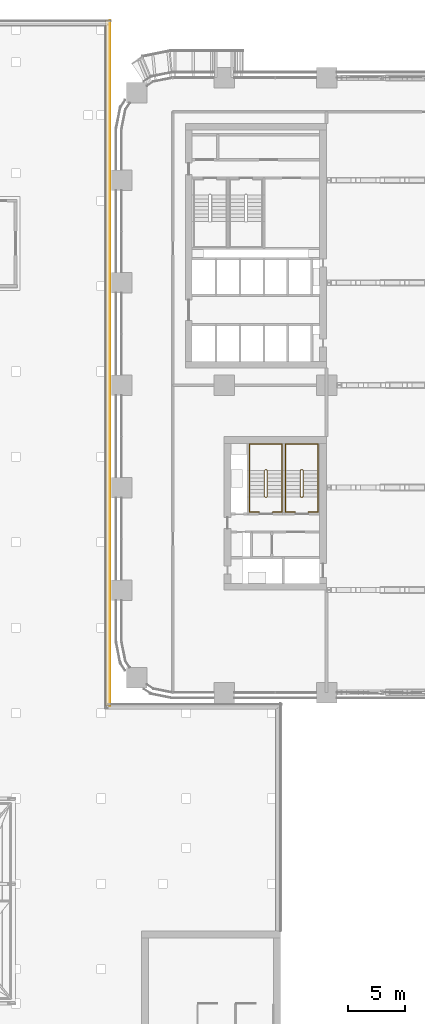
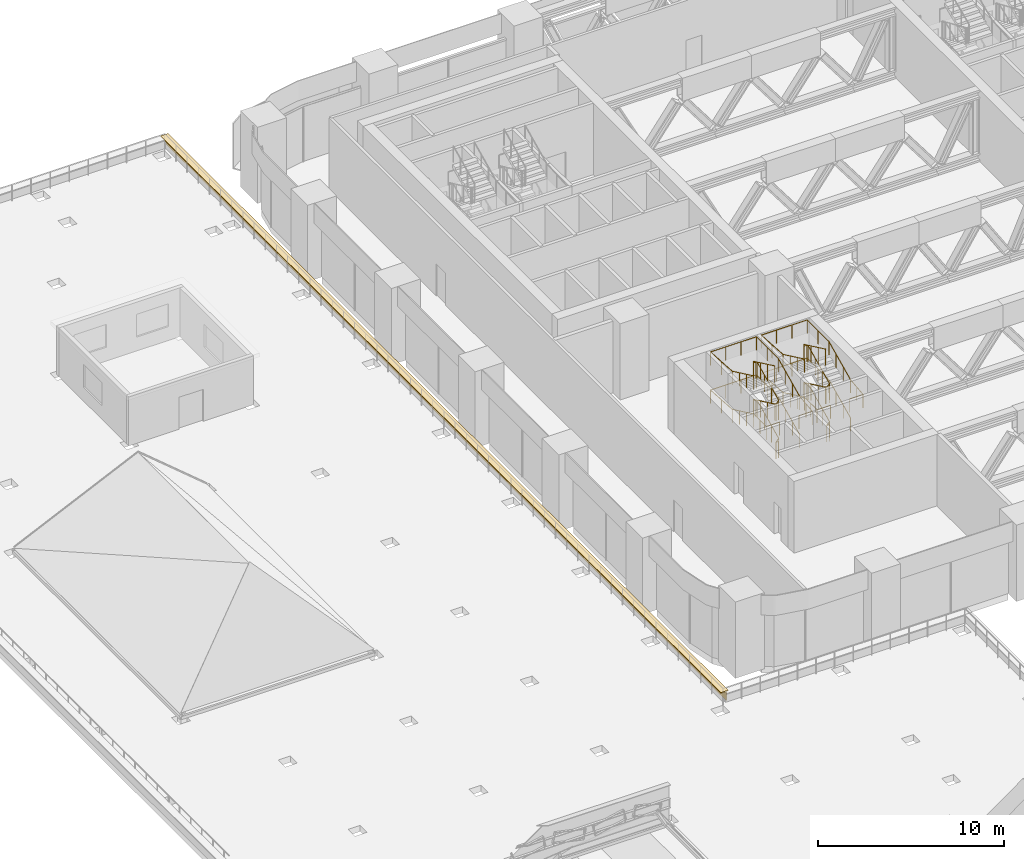
# One storey, part 30 of 35: 6 railings, 2 coverings.
"""IFC4 building model written with IfcOpenShell, lengths in metres."""

from ifc_helpers import new_model, si_unit, direction, frame, origin, origin_2d, place, context, subcontext, project, spatial, rectangle, circle, extrude, material, layer, layer_set, type_object, element, save


model = new_model("IFC4")

# Units and contexts
model_context = context("Model", 3, precision=1e-05, world=origin(), true_north=direction((0.0, 1.0)))
body_context = subcontext(model_context, "Body", "Model", "MODEL_VIEW")
ifc_project = project(units=[si_unit("LENGTHUNIT", "METRE"), si_unit("AREAUNIT", "SQUARE_METRE"), si_unit("VOLUMEUNIT", "CUBIC_METRE"), si_unit("PLANEANGLEUNIT", "RADIAN"), si_unit("MASSUNIT", "GRAM", prefix="KILO")], contexts=[model_context])

# Site, building, storey
site_placement = place(None, origin())
site = spatial("IfcSite", under=ifc_project, at=site_placement, CompositionType="ELEMENT")
building_placement = place(site_placement, origin())
building = spatial("IfcBuilding", under=site, at=building_placement, Name="Tessera Arch", CompositionType="ELEMENT")
storey_placement = place(building_placement, frame((0.0, 0.0, 26.0)))
storey = spatial("IfcBuildingStorey", under=building, at=storey_placement, Name="L04", CompositionType="ELEMENT", Elevation=26.0)

# Coverings
ifc_material_1 = material(Name="Anodised aluminium pale metal", Category="aluminium")
ifc_layer_1 = layer(ifc_material_1, 0.06005859375)
ifc_layer_set_1 = layer_set([ifc_layer_1], Name="Museum coping pale metal")
covering_type_1 = type_object("IfcCoveringType", Name="Museum coping pale metal", PredefinedType="CLADDING", material=ifc_layer_set_1)
covering_1_placement = place(storey_placement, frame((-1.159912109375, 28.949951171875, 0.599853515625), z_axis=(0.0, 0.0, 1.0), x_axis=(0.0, 1.0, 0.0)))
element("IfcCovering", 1, at=covering_1_placement, inside=storey, type_object=covering_type_1, Name="Museum parapet coping", PredefinedType="CLADDING", context=body_context, shape_type="SweptSolid", body=[
    extrude(rectangle(XDim=60.219970703125, YDim=0.4599609375, at=origin_2d()), origin(), (0.0, 0.0, 1.0), 0.06005859375),
])
ifc_material_2 = material(Name="Anodised aluminium pale metal", Category="aluminium")
ifc_layer_2 = layer(ifc_material_2, 0.0400390625)
ifc_layer_set_2 = layer_set([ifc_layer_2], Name="Museum parapet fascia pale metal")
covering_type_2 = type_object("IfcCoveringType", Name="Museum parapet fascia pale metal", PredefinedType="CLADDING", material=ifc_layer_set_2)
covering_2_placement = place(storey_placement, frame((-1.030029296875, 28.949951171875, 0.0), z_axis=(0.0, 0.0, 1.0), x_axis=(0.0, 1.0, 0.0)))
element("IfcCovering", 2, at=covering_2_placement, inside=storey, type_object=covering_type_2, Name="Museum parapet fascia", PredefinedType="CLADDING", context=body_context, shape_type="SweptSolid", body=[
    extrude(rectangle(XDim=60.219970703125, YDim=0.0400390625, at=origin_2d()), origin(), (0.0, 0.0, 1.0), 0.60009765625),
])

# Railings
ifc_material_3 = material(Name="Painted steel balustrade", Category="steel")
railing_type_1 = type_object("IfcRailingType", Name="Stair guard 1100", PredefinedType="GUARDRAIL", material=ifc_material_3)
railing_1_placement = place(storey_placement, frame((15.89990234375, 17.14990234375, 0.0)))
element("IfcRailing", 3, at=railing_1_placement, inside=storey, type_object=railing_type_1, Name="L04 S4a stair guard 1", PredefinedType="GUARDRAIL", context=body_context, shape_type="SweptSolid", body=[
    extrude(circle(Radius=0.02392578125, at=origin_2d()), frame((0.00390625, 0.0, 1.076171875), z_axis=(-1.0, 0.0, 0.0), x_axis=(0.0, -1.0, 0.0)), (0.0, 0.0, 1.0), 0.157958984375),
    extrude(circle(Radius=0.02392578125, at=origin_2d()), frame((-0.153076171875, -0.000732421875, 1.07373046875), z_axis=(0.77305925043, 0.19350078918, 0.604100024756), x_axis=(-0.242814311512, 0.970072785993, 0.0)), (0.0, 0.0, 1.0), 0.2666015625),
    extrude(circle(Radius=0.02392578125, at=origin_2d()), frame((0.050048828125, 0.04638671875, 1.23046875), z_axis=(0.0, 0.903811734687, 0.427930307694), x_axis=(-1.0, 0.0, 0.0)), (0.0, 0.0, 1.0), 2.56396484375),
    extrude(circle(Radius=0.02392578125, at=origin_2d()), frame((0.052978515625, 2.357177734375, 2.326171875), z_axis=(-0.707106781187, 0.707106781187, 0.0), x_axis=(-0.707106781187, -0.707106781187, 0.0)), (0.0, 0.0, 1.0), 0.078857421875),
    extrude(circle(Radius=0.02392578125, at=origin_2d()), frame((0.00390625, 2.41015625, 2.326171875), z_axis=(-1.0, 0.0, 0.0), x_axis=(0.0, -1.0, 0.0)), (0.0, 0.0, 1.0), 0.157958984375),
    extrude(circle(Radius=0.02392578125, at=origin_2d()), frame((-0.148681640625, 2.411376953125, 2.322509765625), z_axis=(-0.29177245553, -0.29177245553, 0.91089937336), x_axis=(0.707106781187, -0.707106781187, 0.0)), (0.0, 0.0, 1.0), 0.179443359375),
    extrude(circle(Radius=0.02392578125, at=origin_2d()), frame((-0.199951171875, 2.36376953125, 2.48046875), z_axis=(0.0, -0.903811734687, 0.427930307694), x_axis=(1.0, 0.0, 0.0)), (0.0, 0.0, 1.0), 2.56396484375),
    extrude(circle(Radius=0.02392578125, at=origin_2d()), frame((-0.203857421875, 0.051025390625, 3.576171875), z_axis=(0.970072785993, -0.242814311512, 0.0), x_axis=(0.242814311512, 0.970072785993, 0.0)), (0.0, 0.0, 1.0), 0.214111328125),
    extrude(circle(Radius=0.02392578125, at=origin_2d()), frame((0.00390625, 0.0, 3.576171875), z_axis=(-1.0, 0.0, 0.0), x_axis=(0.0, -1.0, 0.0)), (0.0, 0.0, 1.0), 0.157958984375),
    extrude(circle(Radius=0.02392578125, at=origin_2d()), frame((-0.153076171875, -0.000732421875, 3.57373046875), z_axis=(0.77305925043, 0.19350078918, 0.604100024756), x_axis=(-0.242814311512, 0.970072785993, 0.0)), (0.0, 0.0, 1.0), 0.2666015625),
    extrude(circle(Radius=0.02392578125, at=origin_2d()), frame((0.050048828125, 0.04638671875, 3.73046875), z_axis=(0.0, 0.903811734687, 0.427930307694), x_axis=(-1.0, 0.0, 0.0)), (0.0, 0.0, 1.0), 2.56396484375),
    extrude(circle(Radius=0.02392578125, at=origin_2d()), frame((0.052978515625, 2.357177734375, 4.826171875), z_axis=(-0.707106781187, 0.707106781187, 0.0), x_axis=(-0.707106781187, -0.707106781187, 0.0)), (0.0, 0.0, 1.0), 0.078857421875),
    extrude(circle(Radius=0.02392578125, at=origin_2d()), frame((0.00390625, 2.41015625, 4.826171875), z_axis=(-1.0, 0.0, 0.0), x_axis=(0.0, -1.0, 0.0)), (0.0, 0.0, 1.0), 0.157958984375),
    extrude(circle(Radius=0.02392578125, at=origin_2d()), frame((-0.148681640625, 2.411376953125, 4.822509765625), z_axis=(-0.29177245553, -0.29177245553, 0.91089937336), x_axis=(0.707106781187, -0.707106781187, 0.0)), (0.0, 0.0, 1.0), 0.179443359375),
    extrude(circle(Radius=0.02392578125, at=origin_2d()), frame((-0.199951171875, 2.36376953125, 4.98046875), z_axis=(0.0, -0.903811734687, 0.427930307694), x_axis=(1.0, 0.0, 0.0)), (0.0, 0.0, 1.0), 2.56396484375),
    extrude(circle(Radius=0.02099609375, at=origin_2d()), origin(), (0.0, 0.0, 1.0), 1.06396484375),
    extrude(circle(Radius=0.02099609375, at=origin_2d()), frame((-0.14990234375, 0.0, 0.0)), (0.0, 0.0, 1.0), 1.06396484375),
    extrude(circle(Radius=0.02099609375, at=origin_2d()), frame((0.050048828125, 0.050048828125, 0.15625)), (0.0, 0.0, 1.0), 1.06396484375),
    extrude(circle(Radius=0.02099609375, at=origin_2d()), frame((0.050048828125, 0.820068359375, 0.520751953125)), (0.0, 0.0, 1.0), 1.06396484375),
    extrude(circle(Radius=0.02099609375, at=origin_2d()), frame((0.050048828125, 1.590087890625, 0.885498046875)), (0.0, 0.0, 1.0), 1.06396484375),
    extrude(circle(Radius=0.02099609375, at=origin_2d()), frame((0.050048828125, 2.360107421875, 1.25)), (0.0, 0.0, 1.0), 1.06396484375),
    extrude(circle(Radius=0.02099609375, at=origin_2d()), frame((0.0, 2.41015625, 1.25)), (0.0, 0.0, 1.0), 1.06396484375),
    extrude(circle(Radius=0.02099609375, at=origin_2d()), frame((-0.14990234375, 2.41015625, 1.25)), (0.0, 0.0, 1.0), 1.06396484375),
    extrude(circle(Radius=0.02099609375, at=origin_2d()), frame((-0.199951171875, 2.360107421875, 1.40625)), (0.0, 0.0, 1.0), 1.06396484375),
    extrude(circle(Radius=0.02099609375, at=origin_2d()), frame((-0.199951171875, 1.590087890625, 1.770751953125)), (0.0, 0.0, 1.0), 1.06396484375),
    extrude(circle(Radius=0.02099609375, at=origin_2d()), frame((-0.199951171875, 0.820068359375, 2.135498046875)), (0.0, 0.0, 1.0), 1.06396484375),
    extrude(circle(Radius=0.02099609375, at=origin_2d()), frame((-0.199951171875, 0.050048828125, 2.5)), (0.0, 0.0, 1.0), 1.06396484375),
    extrude(circle(Radius=0.02099609375, at=origin_2d()), frame((0.0, 0.0, 2.5)), (0.0, 0.0, 1.0), 1.06396484375),
    extrude(circle(Radius=0.02099609375, at=origin_2d()), frame((-0.14990234375, 0.0, 2.5)), (0.0, 0.0, 1.0), 1.06396484375),
    extrude(circle(Radius=0.02099609375, at=origin_2d()), frame((0.050048828125, 0.050048828125, 2.65625)), (0.0, 0.0, 1.0), 1.06396484375),
    extrude(circle(Radius=0.02099609375, at=origin_2d()), frame((0.050048828125, 0.820068359375, 3.020751953125)), (0.0, 0.0, 1.0), 1.06396484375),
    extrude(circle(Radius=0.02099609375, at=origin_2d()), frame((0.050048828125, 1.590087890625, 3.385498046875)), (0.0, 0.0, 1.0), 1.06396484375),
    extrude(circle(Radius=0.02099609375, at=origin_2d()), frame((0.050048828125, 2.360107421875, 3.75)), (0.0, 0.0, 1.0), 1.06396484375),
    extrude(circle(Radius=0.02099609375, at=origin_2d()), frame((0.0, 2.41015625, 3.75)), (0.0, 0.0, 1.0), 1.06396484375),
    extrude(circle(Radius=0.02099609375, at=origin_2d()), frame((-0.14990234375, 2.41015625, 3.75)), (0.0, 0.0, 1.0), 1.06396484375),
    extrude(circle(Radius=0.02099609375, at=origin_2d()), frame((-0.199951171875, 2.360107421875, 3.90625)), (0.0, 0.0, 1.0), 1.06396484375),
    extrude(circle(Radius=0.02099609375, at=origin_2d()), frame((-0.199951171875, 1.590087890625, 4.270751953125)), (0.0, 0.0, 1.0), 1.06396484375),
    extrude(circle(Radius=0.02099609375, at=origin_2d()), frame((-0.199951171875, 0.820068359375, 4.635498046875)), (0.0, 0.0, 1.0), 1.06396484375),
    extrude(circle(Radius=0.02099609375, at=origin_2d()), frame((-0.199951171875, 0.050048828125, 5.0)), (0.0, 0.0, 1.0), 1.06396484375),
])
railing_2_placement = place(storey_placement, frame((12.75, 17.14990234375, 0.0)))
element("IfcRailing", 4, at=railing_2_placement, inside=storey, type_object=railing_type_1, Name="L04 S4b stair guard 1", PredefinedType="GUARDRAIL", context=body_context, shape_type="SweptSolid", body=[
    extrude(circle(Radius=0.02392578125, at=origin_2d()), frame((0.00390625, 0.0, 1.076171875), z_axis=(-1.0, 0.0, 0.0), x_axis=(0.0, -1.0, 0.0)), (0.0, 0.0, 1.0), 0.157958984375),
    extrude(circle(Radius=0.02392578125, at=origin_2d()), frame((-0.153076171875, -0.000732421875, 1.07373046875), z_axis=(0.77305925043, 0.19350078918, 0.604100024756), x_axis=(-0.242814311512, 0.970072785993, 0.0)), (0.0, 0.0, 1.0), 0.2666015625),
    extrude(circle(Radius=0.02392578125, at=origin_2d()), frame((0.050048828125, 0.04638671875, 1.23046875), z_axis=(0.0, 0.903811734687, 0.427930307694), x_axis=(-1.0, 0.0, 0.0)), (0.0, 0.0, 1.0), 2.56396484375),
    extrude(circle(Radius=0.02392578125, at=origin_2d()), frame((0.052978515625, 2.357177734375, 2.326171875), z_axis=(-0.707106781187, 0.707106781187, 0.0), x_axis=(-0.707106781187, -0.707106781187, 0.0)), (0.0, 0.0, 1.0), 0.078857421875),
    extrude(circle(Radius=0.02392578125, at=origin_2d()), frame((0.00390625, 2.41015625, 2.326171875), z_axis=(-1.0, 0.0, 0.0), x_axis=(0.0, -1.0, 0.0)), (0.0, 0.0, 1.0), 0.157958984375),
    extrude(circle(Radius=0.02392578125, at=origin_2d()), frame((-0.148681640625, 2.411376953125, 2.322509765625), z_axis=(-0.29177245553, -0.29177245553, 0.91089937336), x_axis=(0.707106781187, -0.707106781187, 0.0)), (0.0, 0.0, 1.0), 0.179443359375),
    extrude(circle(Radius=0.02392578125, at=origin_2d()), frame((-0.199951171875, 2.36376953125, 2.48046875), z_axis=(0.0, -0.903811734687, 0.427930307694), x_axis=(1.0, 0.0, 0.0)), (0.0, 0.0, 1.0), 2.56396484375),
    extrude(circle(Radius=0.02392578125, at=origin_2d()), frame((-0.203857421875, 0.051025390625, 3.576171875), z_axis=(0.970072785993, -0.242814311512, 0.0), x_axis=(0.242814311512, 0.970072785993, 0.0)), (0.0, 0.0, 1.0), 0.214111328125),
    extrude(circle(Radius=0.02392578125, at=origin_2d()), frame((0.00390625, 0.0, 3.576171875), z_axis=(-1.0, 0.0, 0.0), x_axis=(0.0, -1.0, 0.0)), (0.0, 0.0, 1.0), 0.157958984375),
    extrude(circle(Radius=0.02392578125, at=origin_2d()), frame((-0.153076171875, -0.000732421875, 3.57373046875), z_axis=(0.77305925043, 0.19350078918, 0.604100024756), x_axis=(-0.242814311512, 0.970072785993, 0.0)), (0.0, 0.0, 1.0), 0.2666015625),
    extrude(circle(Radius=0.02392578125, at=origin_2d()), frame((0.050048828125, 0.04638671875, 3.73046875), z_axis=(0.0, 0.903811734687, 0.427930307694), x_axis=(-1.0, 0.0, 0.0)), (0.0, 0.0, 1.0), 2.56396484375),
    extrude(circle(Radius=0.02392578125, at=origin_2d()), frame((0.052978515625, 2.357177734375, 4.826171875), z_axis=(-0.707106781187, 0.707106781187, 0.0), x_axis=(-0.707106781187, -0.707106781187, 0.0)), (0.0, 0.0, 1.0), 0.078857421875),
    extrude(circle(Radius=0.02392578125, at=origin_2d()), frame((0.00390625, 2.41015625, 4.826171875), z_axis=(-1.0, 0.0, 0.0), x_axis=(0.0, -1.0, 0.0)), (0.0, 0.0, 1.0), 0.157958984375),
    extrude(circle(Radius=0.02392578125, at=origin_2d()), frame((-0.148681640625, 2.411376953125, 4.822509765625), z_axis=(-0.29177245553, -0.29177245553, 0.91089937336), x_axis=(0.707106781187, -0.707106781187, 0.0)), (0.0, 0.0, 1.0), 0.179443359375),
    extrude(circle(Radius=0.02392578125, at=origin_2d()), frame((-0.199951171875, 2.36376953125, 4.98046875), z_axis=(0.0, -0.903811734687, 0.427930307694), x_axis=(1.0, 0.0, 0.0)), (0.0, 0.0, 1.0), 2.56396484375),
    extrude(circle(Radius=0.02099609375, at=origin_2d()), origin(), (0.0, 0.0, 1.0), 1.06396484375),
    extrude(circle(Radius=0.02099609375, at=origin_2d()), frame((-0.14990234375, 0.0, 0.0)), (0.0, 0.0, 1.0), 1.06396484375),
    extrude(circle(Radius=0.02099609375, at=origin_2d()), frame((0.050048828125, 0.050048828125, 0.15625)), (0.0, 0.0, 1.0), 1.06396484375),
    extrude(circle(Radius=0.02099609375, at=origin_2d()), frame((0.050048828125, 0.820068359375, 0.520751953125)), (0.0, 0.0, 1.0), 1.06396484375),
    extrude(circle(Radius=0.02099609375, at=origin_2d()), frame((0.050048828125, 1.590087890625, 0.885498046875)), (0.0, 0.0, 1.0), 1.06396484375),
    extrude(circle(Radius=0.02099609375, at=origin_2d()), frame((0.050048828125, 2.360107421875, 1.25)), (0.0, 0.0, 1.0), 1.06396484375),
    extrude(circle(Radius=0.02099609375, at=origin_2d()), frame((0.0, 2.41015625, 1.25)), (0.0, 0.0, 1.0), 1.06396484375),
    extrude(circle(Radius=0.02099609375, at=origin_2d()), frame((-0.14990234375, 2.41015625, 1.25)), (0.0, 0.0, 1.0), 1.06396484375),
    extrude(circle(Radius=0.02099609375, at=origin_2d()), frame((-0.199951171875, 2.360107421875, 1.40625)), (0.0, 0.0, 1.0), 1.06396484375),
    extrude(circle(Radius=0.02099609375, at=origin_2d()), frame((-0.199951171875, 1.590087890625, 1.770751953125)), (0.0, 0.0, 1.0), 1.06396484375),
    extrude(circle(Radius=0.02099609375, at=origin_2d()), frame((-0.199951171875, 0.820068359375, 2.135498046875)), (0.0, 0.0, 1.0), 1.06396484375),
    extrude(circle(Radius=0.02099609375, at=origin_2d()), frame((-0.199951171875, 0.050048828125, 2.5)), (0.0, 0.0, 1.0), 1.06396484375),
    extrude(circle(Radius=0.02099609375, at=origin_2d()), frame((0.0, 0.0, 2.5)), (0.0, 0.0, 1.0), 1.06396484375),
    extrude(circle(Radius=0.02099609375, at=origin_2d()), frame((-0.14990234375, 0.0, 2.5)), (0.0, 0.0, 1.0), 1.06396484375),
    extrude(circle(Radius=0.02099609375, at=origin_2d()), frame((0.050048828125, 0.050048828125, 2.65625)), (0.0, 0.0, 1.0), 1.06396484375),
    extrude(circle(Radius=0.02099609375, at=origin_2d()), frame((0.050048828125, 0.820068359375, 3.020751953125)), (0.0, 0.0, 1.0), 1.06396484375),
    extrude(circle(Radius=0.02099609375, at=origin_2d()), frame((0.050048828125, 1.590087890625, 3.385498046875)), (0.0, 0.0, 1.0), 1.06396484375),
    extrude(circle(Radius=0.02099609375, at=origin_2d()), frame((0.050048828125, 2.360107421875, 3.75)), (0.0, 0.0, 1.0), 1.06396484375),
    extrude(circle(Radius=0.02099609375, at=origin_2d()), frame((0.0, 2.41015625, 3.75)), (0.0, 0.0, 1.0), 1.06396484375),
    extrude(circle(Radius=0.02099609375, at=origin_2d()), frame((-0.14990234375, 2.41015625, 3.75)), (0.0, 0.0, 1.0), 1.06396484375),
    extrude(circle(Radius=0.02099609375, at=origin_2d()), frame((-0.199951171875, 2.360107421875, 3.90625)), (0.0, 0.0, 1.0), 1.06396484375),
    extrude(circle(Radius=0.02099609375, at=origin_2d()), frame((-0.199951171875, 1.590087890625, 4.270751953125)), (0.0, 0.0, 1.0), 1.06396484375),
    extrude(circle(Radius=0.02099609375, at=origin_2d()), frame((-0.199951171875, 0.820068359375, 4.635498046875)), (0.0, 0.0, 1.0), 1.06396484375),
    extrude(circle(Radius=0.02099609375, at=origin_2d()), frame((-0.199951171875, 0.050048828125, 5.0)), (0.0, 0.0, 1.0), 1.06396484375),
])
ifc_material_4 = material(Name="Painted steel handrail", Category="steel")
railing_type_2 = type_object("IfcRailingType", Name="Stair handrail 900", PredefinedType="HANDRAIL", material=ifc_material_4)
railing_3_placement = place(storey_placement, frame((17.25, 17.199951171875, 0.15625)))
element("IfcRailing", 5, at=railing_3_placement, inside=storey, type_object=railing_type_2, Name="L04 S4a stair handrail", PredefinedType="HANDRAIL", context=body_context, shape_type="SweptSolid", body=[
    extrude(circle(Radius=0.02392578125, at=origin_2d()), frame((0.0, -0.003662109375, 0.8740234375), z_axis=(0.0, 0.903811734687, 0.427930307694), x_axis=(-1.0, 0.0, 0.0)), (0.0, 0.0, 1.0), 2.56396484375),
    extrude(circle(Radius=0.02392578125, at=origin_2d()), frame((0.0, 2.30615234375, 1.9697265625), z_axis=(0.0, 1.0, 0.0), x_axis=(-1.0, 0.0, 0.0)), (0.0, 0.0, 1.0), 2.34814453125),
    extrude(circle(Radius=0.02392578125, at=origin_2d()), frame((0.00390625, 4.650146484375, 1.9697265625), z_axis=(-1.0, 0.0, 0.0), x_axis=(0.0, -1.0, 0.0)), (0.0, 0.0, 1.0), 2.858154296875),
    extrude(circle(Radius=0.02392578125, at=origin_2d()), frame((-2.85009765625, 4.654052734375, 1.96923828125), z_axis=(0.0, -0.997778243323, 0.066622647441), x_axis=(1.0, 0.0, 0.0)), (0.0, 0.0, 1.0), 2.353271484375),
    extrude(circle(Radius=0.02392578125, at=origin_2d()), frame((-2.85009765625, 2.313720703125, 2.1240234375), z_axis=(0.0, -0.903811734687, 0.427930307694), x_axis=(1.0, 0.0, 0.0)), (0.0, 0.0, 1.0), 2.56396484375),
    extrude(circle(Radius=0.02392578125, at=origin_2d()), frame((-2.85009765625, 0.00390625, 3.2197265625), z_axis=(0.0, -1.0, 0.0), x_axis=(1.0, 0.0, 0.0)), (0.0, 0.0, 1.0), 1.35791015625),
    extrude(circle(Radius=0.02392578125, at=origin_2d()), frame((-2.85400390625, -1.349853515625, 3.2197265625), z_axis=(1.0, 0.0, 0.0), x_axis=(0.0, 1.0, 0.0)), (0.0, 0.0, 1.0), 0.833251953125),
    extrude(circle(Radius=0.02099609375, at=origin_2d()), origin(), (0.0, 0.0, 1.0), 0.86376953125),
    extrude(circle(Radius=0.02099609375, at=origin_2d()), frame((0.0, 0.77001953125, 0.364501953125)), (0.0, 0.0, 1.0), 0.86376953125),
    extrude(circle(Radius=0.02099609375, at=origin_2d()), frame((0.0, 1.5400390625, 0.729248046875)), (0.0, 0.0, 1.0), 0.86376953125),
    extrude(circle(Radius=0.02099609375, at=origin_2d()), frame((0.0, 2.31005859375, 1.09375)), (0.0, 0.0, 1.0), 0.86376953125),
    extrude(circle(Radius=0.02099609375, at=origin_2d()), frame((0.0, 3.47998046875, 1.09375)), (0.0, 0.0, 1.0), 0.86376953125),
    extrude(circle(Radius=0.02099609375, at=origin_2d()), frame((0.0, 4.650146484375, 1.09375)), (0.0, 0.0, 1.0), 0.86376953125),
    extrude(circle(Radius=0.02099609375, at=origin_2d()), frame((-0.949951171875, 4.650146484375, 1.09375)), (0.0, 0.0, 1.0), 0.86376953125),
    extrude(circle(Radius=0.02099609375, at=origin_2d()), frame((-1.900146484375, 4.650146484375, 1.09375)), (0.0, 0.0, 1.0), 0.86376953125),
    extrude(circle(Radius=0.02099609375, at=origin_2d()), frame((-2.85009765625, 4.650146484375, 1.09375)), (0.0, 0.0, 1.0), 0.86376953125),
    extrude(circle(Radius=0.02099609375, at=origin_2d()), frame((-2.85009765625, 3.47998046875, 1.171875)), (0.0, 0.0, 1.0), 0.86376953125),
    extrude(circle(Radius=0.02099609375, at=origin_2d()), frame((-2.85009765625, 2.31005859375, 1.25)), (0.0, 0.0, 1.0), 0.86376953125),
    extrude(circle(Radius=0.02099609375, at=origin_2d()), frame((-2.85009765625, 1.5400390625, 1.614501953125)), (0.0, 0.0, 1.0), 0.86376953125),
    extrude(circle(Radius=0.02099609375, at=origin_2d()), frame((-2.85009765625, 0.77001953125, 1.979248046875)), (0.0, 0.0, 1.0), 0.86376953125),
    extrude(circle(Radius=0.02099609375, at=origin_2d()), frame((-2.85009765625, 0.0, 2.34375)), (0.0, 0.0, 1.0), 0.86376953125),
    extrude(circle(Radius=0.02099609375, at=origin_2d()), frame((-2.85009765625, -0.6748046875, 2.34375)), (0.0, 0.0, 1.0), 0.86376953125),
    extrude(circle(Radius=0.02099609375, at=origin_2d()), frame((-2.85009765625, -1.349853515625, 2.34375)), (0.0, 0.0, 1.0), 0.86376953125),
    extrude(circle(Radius=0.02099609375, at=origin_2d()), frame((-2.02490234375, -1.349853515625, 2.34375)), (0.0, 0.0, 1.0), 0.86376953125),
])
railing_4_placement = place(storey_placement, frame((16.425048828125, 15.85009765625, 2.5)))
element("IfcRailing", 6, at=railing_4_placement, inside=storey, type_object=railing_type_2, Name="L04 S4a stair handrail 2", PredefinedType="HANDRAIL", context=body_context, shape_type="SweptSolid", body=[
    extrude(circle(Radius=0.02392578125, at=origin_2d()), frame((-0.00390625, 0.0, 0.8759765625), z_axis=(1.0, 0.0, 0.0), x_axis=(0.0, 1.0, 0.0)), (0.0, 0.0, 1.0), 0.8330078125),
    extrude(circle(Radius=0.02392578125, at=origin_2d()), frame((0.824951171875, -0.00390625, 0.87548828125), z_axis=(0.0, 0.993367166886, 0.114985528451), x_axis=(-1.0, 0.0, 0.0)), (0.0, 0.0, 1.0), 1.366943359375),
    extrude(circle(Radius=0.02392578125, at=origin_2d()), frame((0.824951171875, 1.34619140625, 1.0302734375), z_axis=(0.0, 0.903811734687, 0.427930307694), x_axis=(-1.0, 0.0, 0.0)), (0.0, 0.0, 1.0), 2.56396484375),
    extrude(circle(Radius=0.02392578125, at=origin_2d()), frame((0.824951171875, 3.656005859375, 2.1259765625), z_axis=(0.0, 1.0, 0.0), x_axis=(-1.0, 0.0, 0.0)), (0.0, 0.0, 1.0), 2.34814453125),
    extrude(circle(Radius=0.02392578125, at=origin_2d()), frame((0.828857421875, 6.0, 2.1259765625), z_axis=(-1.0, 0.0, 0.0), x_axis=(0.0, -1.0, 0.0)), (0.0, 0.0, 1.0), 2.858154296875),
    extrude(circle(Radius=0.02392578125, at=origin_2d()), frame((-2.025146484375, 6.00390625, 2.12548828125), z_axis=(0.0, -0.997778243323, 0.066622647441), x_axis=(1.0, 0.0, 0.0)), (0.0, 0.0, 1.0), 2.353271484375),
    extrude(circle(Radius=0.02392578125, at=origin_2d()), frame((-2.025146484375, 3.66357421875, 2.2802734375), z_axis=(0.0, -0.903811734687, 0.427930307694), x_axis=(1.0, 0.0, 0.0)), (0.0, 0.0, 1.0), 2.56396484375),
    extrude(circle(Radius=0.02099609375, at=origin_2d()), origin(), (0.0, 0.0, 1.0), 0.86376953125),
    extrude(circle(Radius=0.02099609375, at=origin_2d()), frame((0.824951171875, 0.0, 0.0)), (0.0, 0.0, 1.0), 0.86376953125),
    extrude(circle(Radius=0.02099609375, at=origin_2d()), frame((0.824951171875, 0.6748046875, 0.078125)), (0.0, 0.0, 1.0), 0.86376953125),
    extrude(circle(Radius=0.02099609375, at=origin_2d()), frame((0.824951171875, 1.349853515625, 0.15625)), (0.0, 0.0, 1.0), 0.86376953125),
    extrude(circle(Radius=0.02099609375, at=origin_2d()), frame((0.824951171875, 2.119873046875, 0.520751953125)), (0.0, 0.0, 1.0), 0.86376953125),
    extrude(circle(Radius=0.02099609375, at=origin_2d()), frame((0.824951171875, 2.889892578125, 0.885498046875)), (0.0, 0.0, 1.0), 0.86376953125),
    extrude(circle(Radius=0.02099609375, at=origin_2d()), frame((0.824951171875, 3.659912109375, 1.25)), (0.0, 0.0, 1.0), 0.86376953125),
    extrude(circle(Radius=0.02099609375, at=origin_2d()), frame((0.824951171875, 4.830078125, 1.25)), (0.0, 0.0, 1.0), 0.86376953125),
    extrude(circle(Radius=0.02099609375, at=origin_2d()), frame((0.824951171875, 6.0, 1.25)), (0.0, 0.0, 1.0), 0.86376953125),
    extrude(circle(Radius=0.02099609375, at=origin_2d()), frame((-0.125, 6.0, 1.25)), (0.0, 0.0, 1.0), 0.86376953125),
    extrude(circle(Radius=0.02099609375, at=origin_2d()), frame((-1.0751953125, 6.0, 1.25)), (0.0, 0.0, 1.0), 0.86376953125),
    extrude(circle(Radius=0.02099609375, at=origin_2d()), frame((-2.025146484375, 6.0, 1.25)), (0.0, 0.0, 1.0), 0.86376953125),
    extrude(circle(Radius=0.02099609375, at=origin_2d()), frame((-2.025146484375, 4.830078125, 1.328125)), (0.0, 0.0, 1.0), 0.86376953125),
    extrude(circle(Radius=0.02099609375, at=origin_2d()), frame((-2.025146484375, 3.659912109375, 1.40625)), (0.0, 0.0, 1.0), 0.86376953125),
    extrude(circle(Radius=0.02099609375, at=origin_2d()), frame((-2.025146484375, 2.889892578125, 1.770751953125)), (0.0, 0.0, 1.0), 0.86376953125),
    extrude(circle(Radius=0.02099609375, at=origin_2d()), frame((-2.025146484375, 2.119873046875, 2.135498046875)), (0.0, 0.0, 1.0), 0.86376953125),
    extrude(circle(Radius=0.02099609375, at=origin_2d()), frame((-2.025146484375, 1.349853515625, 2.5)), (0.0, 0.0, 1.0), 0.86376953125),
])
railing_5_placement = place(storey_placement, frame((14.10009765625, 17.199951171875, 0.15625)))
element("IfcRailing", 7, at=railing_5_placement, inside=storey, type_object=railing_type_2, Name="L04 S4b stair handrail", PredefinedType="HANDRAIL", context=body_context, shape_type="SweptSolid", body=[
    extrude(circle(Radius=0.02392578125, at=origin_2d()), frame((0.0, -0.003662109375, 0.8740234375), z_axis=(0.0, 0.903811734687, 0.427930307694), x_axis=(-1.0, 0.0, 0.0)), (0.0, 0.0, 1.0), 2.56396484375),
    extrude(circle(Radius=0.02392578125, at=origin_2d()), frame((0.0, 2.30615234375, 1.9697265625), z_axis=(0.0, 1.0, 0.0), x_axis=(-1.0, 0.0, 0.0)), (0.0, 0.0, 1.0), 2.34814453125),
    extrude(circle(Radius=0.02392578125, at=origin_2d()), frame((0.00390625, 4.650146484375, 1.9697265625), z_axis=(-1.0, 0.0, 0.0), x_axis=(0.0, -1.0, 0.0)), (0.0, 0.0, 1.0), 2.858154296875),
    extrude(circle(Radius=0.02392578125, at=origin_2d()), frame((-2.85009765625, 4.654052734375, 1.96923828125), z_axis=(0.0, -0.997778243323, 0.066622647441), x_axis=(1.0, 0.0, 0.0)), (0.0, 0.0, 1.0), 2.353271484375),
    extrude(circle(Radius=0.02392578125, at=origin_2d()), frame((-2.85009765625, 2.313720703125, 2.1240234375), z_axis=(0.0, -0.903811734687, 0.427930307694), x_axis=(1.0, 0.0, 0.0)), (0.0, 0.0, 1.0), 2.56396484375),
    extrude(circle(Radius=0.02392578125, at=origin_2d()), frame((-2.85009765625, 0.00390625, 3.2197265625), z_axis=(0.0, -1.0, 0.0), x_axis=(1.0, 0.0, 0.0)), (0.0, 0.0, 1.0), 1.35791015625),
    extrude(circle(Radius=0.02392578125, at=origin_2d()), frame((-2.85400390625, -1.349853515625, 3.2197265625), z_axis=(1.0, 0.0, 0.0), x_axis=(0.0, 1.0, 0.0)), (0.0, 0.0, 1.0), 0.8330078125),
    extrude(circle(Radius=0.02099609375, at=origin_2d()), origin(), (0.0, 0.0, 1.0), 0.86376953125),
    extrude(circle(Radius=0.02099609375, at=origin_2d()), frame((0.0, 0.77001953125, 0.364501953125)), (0.0, 0.0, 1.0), 0.86376953125),
    extrude(circle(Radius=0.02099609375, at=origin_2d()), frame((0.0, 1.5400390625, 0.729248046875)), (0.0, 0.0, 1.0), 0.86376953125),
    extrude(circle(Radius=0.02099609375, at=origin_2d()), frame((0.0, 2.31005859375, 1.09375)), (0.0, 0.0, 1.0), 0.86376953125),
    extrude(circle(Radius=0.02099609375, at=origin_2d()), frame((0.0, 3.47998046875, 1.09375)), (0.0, 0.0, 1.0), 0.86376953125),
    extrude(circle(Radius=0.02099609375, at=origin_2d()), frame((0.0, 4.650146484375, 1.09375)), (0.0, 0.0, 1.0), 0.86376953125),
    extrude(circle(Radius=0.02099609375, at=origin_2d()), frame((-0.949951171875, 4.650146484375, 1.09375)), (0.0, 0.0, 1.0), 0.86376953125),
    extrude(circle(Radius=0.02099609375, at=origin_2d()), frame((-1.900146484375, 4.650146484375, 1.09375)), (0.0, 0.0, 1.0), 0.86376953125),
    extrude(circle(Radius=0.02099609375, at=origin_2d()), frame((-2.85009765625, 4.650146484375, 1.09375)), (0.0, 0.0, 1.0), 0.86376953125),
    extrude(circle(Radius=0.02099609375, at=origin_2d()), frame((-2.85009765625, 3.47998046875, 1.171875)), (0.0, 0.0, 1.0), 0.86376953125),
    extrude(circle(Radius=0.02099609375, at=origin_2d()), frame((-2.85009765625, 2.31005859375, 1.25)), (0.0, 0.0, 1.0), 0.86376953125),
    extrude(circle(Radius=0.02099609375, at=origin_2d()), frame((-2.85009765625, 1.5400390625, 1.614501953125)), (0.0, 0.0, 1.0), 0.86376953125),
    extrude(circle(Radius=0.02099609375, at=origin_2d()), frame((-2.85009765625, 0.77001953125, 1.979248046875)), (0.0, 0.0, 1.0), 0.86376953125),
    extrude(circle(Radius=0.02099609375, at=origin_2d()), frame((-2.85009765625, 0.0, 2.34375)), (0.0, 0.0, 1.0), 0.86376953125),
    extrude(circle(Radius=0.02099609375, at=origin_2d()), frame((-2.85009765625, -0.6748046875, 2.34375)), (0.0, 0.0, 1.0), 0.86376953125),
    extrude(circle(Radius=0.02099609375, at=origin_2d()), frame((-2.85009765625, -1.349853515625, 2.34375)), (0.0, 0.0, 1.0), 0.86376953125),
    extrude(circle(Radius=0.02099609375, at=origin_2d()), frame((-2.025146484375, -1.349853515625, 2.34375)), (0.0, 0.0, 1.0), 0.86376953125),
])
railing_6_placement = place(storey_placement, frame((13.27490234375, 15.85009765625, 2.5)))
element("IfcRailing", 8, at=railing_6_placement, inside=storey, type_object=railing_type_2, Name="L04 S4b stair handrail 2", PredefinedType="HANDRAIL", context=body_context, shape_type="SweptSolid", body=[
    extrude(circle(Radius=0.02392578125, at=origin_2d()), frame((-0.00390625, 0.0, 0.8759765625), z_axis=(1.0, 0.0, 0.0), x_axis=(0.0, 1.0, 0.0)), (0.0, 0.0, 1.0), 0.833251953125),
    extrude(circle(Radius=0.02392578125, at=origin_2d()), frame((0.8251953125, -0.00390625, 0.87548828125), z_axis=(0.0, 0.993367166886, 0.114985528451), x_axis=(-1.0, 0.0, 0.0)), (0.0, 0.0, 1.0), 1.366943359375),
    extrude(circle(Radius=0.02392578125, at=origin_2d()), frame((0.8251953125, 1.34619140625, 1.0302734375), z_axis=(0.0, 0.903811734687, 0.427930307694), x_axis=(-1.0, 0.0, 0.0)), (0.0, 0.0, 1.0), 2.56396484375),
    extrude(circle(Radius=0.02392578125, at=origin_2d()), frame((0.8251953125, 3.656005859375, 2.1259765625), z_axis=(0.0, 1.0, 0.0), x_axis=(-1.0, 0.0, 0.0)), (0.0, 0.0, 1.0), 2.34814453125),
    extrude(circle(Radius=0.02392578125, at=origin_2d()), frame((0.8291015625, 6.0, 2.1259765625), z_axis=(-1.0, 0.0, 0.0), x_axis=(0.0, -1.0, 0.0)), (0.0, 0.0, 1.0), 2.858154296875),
    extrude(circle(Radius=0.02392578125, at=origin_2d()), frame((-2.02490234375, 6.00390625, 2.12548828125), z_axis=(0.0, -0.997778243323, 0.066622647441), x_axis=(1.0, 0.0, 0.0)), (0.0, 0.0, 1.0), 2.353271484375),
    extrude(circle(Radius=0.02392578125, at=origin_2d()), frame((-2.02490234375, 3.66357421875, 2.2802734375), z_axis=(0.0, -0.903811734687, 0.427930307694), x_axis=(1.0, 0.0, 0.0)), (0.0, 0.0, 1.0), 2.56396484375),
    extrude(circle(Radius=0.02099609375, at=origin_2d()), origin(), (0.0, 0.0, 1.0), 0.86376953125),
    extrude(circle(Radius=0.02099609375, at=origin_2d()), frame((0.8251953125, 0.0, 0.0)), (0.0, 0.0, 1.0), 0.86376953125),
    extrude(circle(Radius=0.02099609375, at=origin_2d()), frame((0.8251953125, 0.6748046875, 0.078125)), (0.0, 0.0, 1.0), 0.86376953125),
    extrude(circle(Radius=0.02099609375, at=origin_2d()), frame((0.8251953125, 1.349853515625, 0.15625)), (0.0, 0.0, 1.0), 0.86376953125),
    extrude(circle(Radius=0.02099609375, at=origin_2d()), frame((0.8251953125, 2.119873046875, 0.520751953125)), (0.0, 0.0, 1.0), 0.86376953125),
    extrude(circle(Radius=0.02099609375, at=origin_2d()), frame((0.8251953125, 2.889892578125, 0.885498046875)), (0.0, 0.0, 1.0), 0.86376953125),
    extrude(circle(Radius=0.02099609375, at=origin_2d()), frame((0.8251953125, 3.659912109375, 1.25)), (0.0, 0.0, 1.0), 0.86376953125),
    extrude(circle(Radius=0.02099609375, at=origin_2d()), frame((0.8251953125, 4.830078125, 1.25)), (0.0, 0.0, 1.0), 0.86376953125),
    extrude(circle(Radius=0.02099609375, at=origin_2d()), frame((0.8251953125, 6.0, 1.25)), (0.0, 0.0, 1.0), 0.86376953125),
    extrude(circle(Radius=0.02099609375, at=origin_2d()), frame((-0.124755859375, 6.0, 1.25)), (0.0, 0.0, 1.0), 0.86376953125),
    extrude(circle(Radius=0.02099609375, at=origin_2d()), frame((-1.074951171875, 6.0, 1.25)), (0.0, 0.0, 1.0), 0.86376953125),
    extrude(circle(Radius=0.02099609375, at=origin_2d()), frame((-2.02490234375, 6.0, 1.25)), (0.0, 0.0, 1.0), 0.86376953125),
    extrude(circle(Radius=0.02099609375, at=origin_2d()), frame((-2.02490234375, 4.830078125, 1.328125)), (0.0, 0.0, 1.0), 0.86376953125),
    extrude(circle(Radius=0.02099609375, at=origin_2d()), frame((-2.02490234375, 3.659912109375, 1.40625)), (0.0, 0.0, 1.0), 0.86376953125),
    extrude(circle(Radius=0.02099609375, at=origin_2d()), frame((-2.02490234375, 2.889892578125, 1.770751953125)), (0.0, 0.0, 1.0), 0.86376953125),
    extrude(circle(Radius=0.02099609375, at=origin_2d()), frame((-2.02490234375, 2.119873046875, 2.135498046875)), (0.0, 0.0, 1.0), 0.86376953125),
    extrude(circle(Radius=0.02099609375, at=origin_2d()), frame((-2.02490234375, 1.349853515625, 2.5)), (0.0, 0.0, 1.0), 0.86376953125),
])

save(model, "model.ifc")
